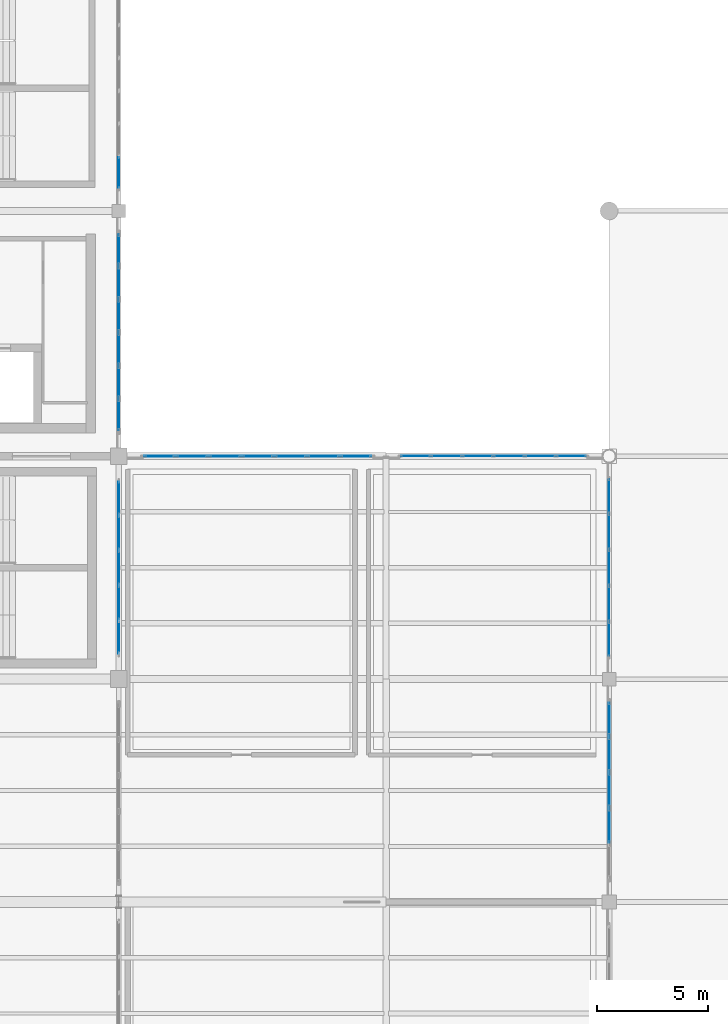
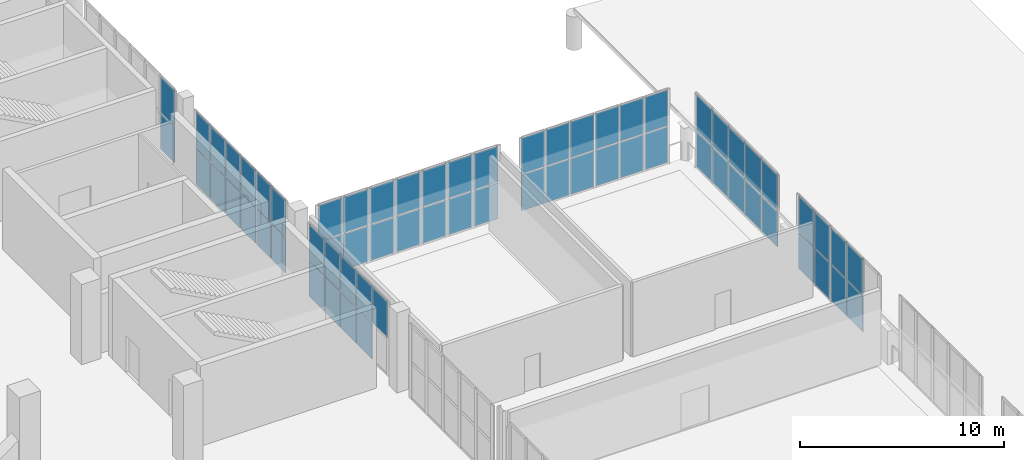
# One storey, part 103 of 136: 67 plates, 7 elements without a shape of their own.
"""IFC4 building model written with IfcOpenShell, lengths in metres."""

from ifc_helpers import new_model, si_unit, direction, frame, origin, origin_2d, place, context, subcontext, project, spatial, rectangle, extrude, material, layer, layer_set, type_object, element, aggregate, save


model = new_model("IFC4")

# Units and contexts
model_context = context("Model", 3, precision=1e-05, world=origin(), true_north=direction((0.0, 1.0)))
body_context = subcontext(model_context, "Body", "Model", "MODEL_VIEW")
ifc_project = project(units=[si_unit("LENGTHUNIT", "METRE"), si_unit("AREAUNIT", "SQUARE_METRE"), si_unit("VOLUMEUNIT", "CUBIC_METRE"), si_unit("PLANEANGLEUNIT", "RADIAN"), si_unit("MASSUNIT", "GRAM", prefix="KILO")], contexts=[model_context])

# Site, building, storey
site_placement = place(None, origin())
site = spatial("IfcSite", under=ifc_project, at=site_placement, CompositionType="ELEMENT")
building_placement = place(site_placement, origin())
building = spatial("IfcBuilding", under=site, at=building_placement, Name="Brinegate Civic Arena", CompositionType="ELEMENT")
storey_placement = place(building_placement, frame((0.0, 0.0, 5.39990234375)))
storey = spatial("IfcBuildingStorey", under=building, at=storey_placement, Name="L01", CompositionType="ELEMENT", Elevation=5.39990234375)

# Curtain wall, plates
ifc_material_1 = material(Name="Marine grade aluminium", Category="aluminium")
ifc_layer_1 = layer(ifc_material_1, 0.18505859375, Name="Marine grade aluminium")
ifc_layer_set_1 = layer_set([ifc_layer_1], Name="Marine grade aluminium")
curtain_wall_type_1 = type_object("IfcCurtainWallType", Name="CW-WING-GLAZED-03", PredefinedType="USERDEFINED", material=ifc_layer_set_1)
curtain_wall_1_placement = place(storey_placement, origin())
curtain_wall_1 = element("IfcCurtainWall", 1, at=curtain_wall_1_placement, inside=storey, type_object=curtain_wall_type_1, Name="Curtain Wall CWA-038", ObjectType="GLAZED CURTAIN WALL", PredefinedType="USERDEFINED")
ifc_material_2 = material(Name="Hurricane laminated low-E glass", Category="glass")
ifc_layer_2 = layer(ifc_material_2, 0.028076171875, Name="Hurricane laminated low-E glass")
ifc_layer_set_2 = layer_set([ifc_layer_2], Name="Hurricane laminated low-E glass")
plate_type_1 = type_object("IfcPlateType", Name="CW-PANEL-GLAZED-28", PredefinedType="CURTAIN_PANEL", material=ifc_layer_set_2)
plate_1_placement = place(storey_placement, frame((190.0, 73.794677734375, 0.074951171875), z_axis=(0.0, 0.0, 1.0), x_axis=(0.0, 1.0, 0.0)))
plate_1 = element("IfcPlate", 2, at=plate_1_placement, type_object=plate_type_1, Name="CWA-038 panel 1.1", PredefinedType="CURTAIN_PANEL", context=body_context, shape_type="SweptSolid", body=[
    extrude(rectangle(XDim=1.511474609375, YDim=0.028076171875, at=origin_2d()), origin(), (0.0, 0.0, 1.0), 2.12255859375),
])
plate_2_placement = place(storey_placement, frame((190.0, 73.794677734375, 2.2724609375), z_axis=(0.0, 0.0, 1.0), x_axis=(0.0, 1.0, 0.0)))
plate_2 = element("IfcPlate", 3, at=plate_2_placement, type_object=plate_type_1, Name="CWA-038 panel 1.2", PredefinedType="CURTAIN_PANEL", context=body_context, shape_type="SweptSolid", body=[
    extrude(rectangle(XDim=1.511474609375, YDim=0.028076171875, at=origin_2d()), origin(), (0.0, 0.0, 1.0), 2.12255859375),
])
plate_3_placement = place(storey_placement, frame((190.0, 75.387451171875, 0.074951171875), z_axis=(0.0, 0.0, 1.0), x_axis=(0.0, 1.0, 0.0)))
plate_3 = element("IfcPlate", 4, at=plate_3_placement, type_object=plate_type_1, Name="CWA-038 panel 2.1", PredefinedType="CURTAIN_PANEL", context=body_context, shape_type="SweptSolid", body=[
    extrude(rectangle(XDim=1.5439453125, YDim=0.028076171875, at=origin_2d()), origin(), (0.0, 0.0, 1.0), 2.12255859375),
])
plate_4_placement = place(storey_placement, frame((190.0, 75.387451171875, 2.2724609375), z_axis=(0.0, 0.0, 1.0), x_axis=(0.0, 1.0, 0.0)))
plate_4 = element("IfcPlate", 5, at=plate_4_placement, type_object=plate_type_1, Name="CWA-038 panel 2.2", PredefinedType="CURTAIN_PANEL", context=body_context, shape_type="SweptSolid", body=[
    extrude(rectangle(XDim=1.5439453125, YDim=0.028076171875, at=origin_2d()), origin(), (0.0, 0.0, 1.0), 2.12255859375),
])
plate_5_placement = place(storey_placement, frame((190.0, 76.99658203125, 0.074951171875), z_axis=(0.0, 0.0, 1.0), x_axis=(0.0, 1.0, 0.0)))
plate_5 = element("IfcPlate", 6, at=plate_5_placement, type_object=plate_type_1, Name="CWA-038 panel 3.1", PredefinedType="CURTAIN_PANEL", context=body_context, shape_type="SweptSolid", body=[
    extrude(rectangle(XDim=1.5439453125, YDim=0.028076171875, at=origin_2d()), origin(), (0.0, 0.0, 1.0), 2.12255859375),
])
plate_6_placement = place(storey_placement, frame((190.0, 76.99658203125, 2.2724609375), z_axis=(0.0, 0.0, 1.0), x_axis=(0.0, 1.0, 0.0)))
plate_6 = element("IfcPlate", 7, at=plate_6_placement, type_object=plate_type_1, Name="CWA-038 panel 3.2", PredefinedType="CURTAIN_PANEL", context=body_context, shape_type="SweptSolid", body=[
    extrude(rectangle(XDim=1.5439453125, YDim=0.028076171875, at=origin_2d()), origin(), (0.0, 0.0, 1.0), 2.12255859375),
])
plate_7_placement = place(storey_placement, frame((190.0, 78.60546875, 0.074951171875), z_axis=(0.0, 0.0, 1.0), x_axis=(0.0, 1.0, 0.0)))
plate_7 = element("IfcPlate", 8, at=plate_7_placement, type_object=plate_type_1, Name="CWA-038 panel 4.1", PredefinedType="CURTAIN_PANEL", context=body_context, shape_type="SweptSolid", body=[
    extrude(rectangle(XDim=1.5439453125, YDim=0.028076171875, at=origin_2d()), origin(), (0.0, 0.0, 1.0), 2.12255859375),
])
plate_8_placement = place(storey_placement, frame((190.0, 78.60546875, 2.2724609375), z_axis=(0.0, 0.0, 1.0), x_axis=(0.0, 1.0, 0.0)))
plate_8 = element("IfcPlate", 9, at=plate_8_placement, type_object=plate_type_1, Name="CWA-038 panel 4.2", PredefinedType="CURTAIN_PANEL", context=body_context, shape_type="SweptSolid", body=[
    extrude(rectangle(XDim=1.5439453125, YDim=0.028076171875, at=origin_2d()), origin(), (0.0, 0.0, 1.0), 2.12255859375),
])
plate_9_placement = place(storey_placement, frame((190.0, 80.1982421875, 0.074951171875), z_axis=(0.0, 0.0, 1.0), x_axis=(0.0, 1.0, 0.0)))
plate_9 = element("IfcPlate", 10, at=plate_9_placement, type_object=plate_type_1, Name="CWA-038 panel 5.1", PredefinedType="CURTAIN_PANEL", context=body_context, shape_type="SweptSolid", body=[
    extrude(rectangle(XDim=1.511474609375, YDim=0.028076171875, at=origin_2d()), origin(), (0.0, 0.0, 1.0), 2.12255859375),
])
plate_10_placement = place(storey_placement, frame((190.0, 80.1982421875, 2.2724609375), z_axis=(0.0, 0.0, 1.0), x_axis=(0.0, 1.0, 0.0)))
plate_10 = element("IfcPlate", 11, at=plate_10_placement, type_object=plate_type_1, Name="CWA-038 panel 5.2", PredefinedType="CURTAIN_PANEL", context=body_context, shape_type="SweptSolid", body=[
    extrude(rectangle(XDim=1.511474609375, YDim=0.028076171875, at=origin_2d()), origin(), (0.0, 0.0, 1.0), 2.12255859375),
])
aggregate(curtain_wall_1, [plate_1, plate_2, plate_3, plate_4, plate_5, plate_6, plate_7, plate_8, plate_9, plate_10])

curtain_wall_2_placement = place(storey_placement, origin())
curtain_wall_2 = element("IfcCurtainWall", 12, at=curtain_wall_2_placement, inside=storey, type_object=curtain_wall_type_1, Name="Curtain Wall CWA-042", ObjectType="GLAZED CURTAIN WALL", PredefinedType="USERDEFINED")
plate_11_placement = place(storey_placement, frame((181.31787109375, 82.0, 0.06494140625), z_axis=(0.0, 0.0, 1.0), x_axis=(1.0, 0.0, 0.0)))
plate_11 = element("IfcPlate", 13, at=plate_11_placement, type_object=plate_type_1, Name="CWA-042 panel 1.1", PredefinedType="CURTAIN_PANEL", context=body_context, shape_type="SweptSolid", body=[
    extrude(rectangle(XDim=1.3056640625, YDim=0.028076171875, at=origin_2d()), origin(), (0.0, 0.0, 1.0), 2.137451171875),
])
plate_12_placement = place(storey_placement, frame((181.31787109375, 82.0, 2.267578125), z_axis=(0.0, 0.0, 1.0), x_axis=(1.0, 0.0, 0.0)))
plate_12 = element("IfcPlate", 14, at=plate_12_placement, type_object=plate_type_1, Name="CWA-042 panel 1.2", PredefinedType="CURTAIN_PANEL", context=body_context, shape_type="SweptSolid", body=[
    extrude(rectangle(XDim=1.3056640625, YDim=0.028076171875, at=origin_2d()), origin(), (0.0, 0.0, 1.0), 2.137451171875),
])
plate_13_placement = place(storey_placement, frame((182.704833984375, 82.0, 0.06494140625), z_axis=(0.0, 0.0, 1.0), x_axis=(1.0, 0.0, 0.0)))
plate_13 = element("IfcPlate", 15, at=plate_13_placement, type_object=plate_type_1, Name="CWA-042 panel 2.1", PredefinedType="CURTAIN_PANEL", context=body_context, shape_type="SweptSolid", body=[
    extrude(rectangle(XDim=1.338134765625, YDim=0.028076171875, at=origin_2d()), origin(), (0.0, 0.0, 1.0), 2.137451171875),
])
plate_14_placement = place(storey_placement, frame((182.704833984375, 82.0, 2.267578125), z_axis=(0.0, 0.0, 1.0), x_axis=(1.0, 0.0, 0.0)))
plate_14 = element("IfcPlate", 16, at=plate_14_placement, type_object=plate_type_1, Name="CWA-042 panel 2.2", PredefinedType="CURTAIN_PANEL", context=body_context, shape_type="SweptSolid", body=[
    extrude(rectangle(XDim=1.338134765625, YDim=0.028076171875, at=origin_2d()), origin(), (0.0, 0.0, 1.0), 2.137451171875),
])
plate_15_placement = place(storey_placement, frame((184.10791015625, 82.0, 0.06494140625), z_axis=(0.0, 0.0, 1.0), x_axis=(1.0, 0.0, 0.0)))
plate_15 = element("IfcPlate", 17, at=plate_15_placement, type_object=plate_type_1, Name="CWA-042 panel 3.1", PredefinedType="CURTAIN_PANEL", context=body_context, shape_type="SweptSolid", body=[
    extrude(rectangle(XDim=1.338134765625, YDim=0.028076171875, at=origin_2d()), origin(), (0.0, 0.0, 1.0), 2.137451171875),
])
plate_16_placement = place(storey_placement, frame((184.10791015625, 82.0, 2.267578125), z_axis=(0.0, 0.0, 1.0), x_axis=(1.0, 0.0, 0.0)))
plate_16 = element("IfcPlate", 18, at=plate_16_placement, type_object=plate_type_1, Name="CWA-042 panel 3.2", PredefinedType="CURTAIN_PANEL", context=body_context, shape_type="SweptSolid", body=[
    extrude(rectangle(XDim=1.338134765625, YDim=0.028076171875, at=origin_2d()), origin(), (0.0, 0.0, 1.0), 2.137451171875),
])
plate_17_placement = place(storey_placement, frame((185.510986328125, 82.0, 0.06494140625), z_axis=(0.0, 0.0, 1.0), x_axis=(1.0, 0.0, 0.0)))
plate_17 = element("IfcPlate", 19, at=plate_17_placement, type_object=plate_type_1, Name="CWA-042 panel 4.1", PredefinedType="CURTAIN_PANEL", context=body_context, shape_type="SweptSolid", body=[
    extrude(rectangle(XDim=1.338134765625, YDim=0.028076171875, at=origin_2d()), origin(), (0.0, 0.0, 1.0), 2.137451171875),
])
plate_18_placement = place(storey_placement, frame((185.510986328125, 82.0, 2.267578125), z_axis=(0.0, 0.0, 1.0), x_axis=(1.0, 0.0, 0.0)))
plate_18 = element("IfcPlate", 20, at=plate_18_placement, type_object=plate_type_1, Name="CWA-042 panel 4.2", PredefinedType="CURTAIN_PANEL", context=body_context, shape_type="SweptSolid", body=[
    extrude(rectangle(XDim=1.338134765625, YDim=0.028076171875, at=origin_2d()), origin(), (0.0, 0.0, 1.0), 2.137451171875),
])
plate_19_placement = place(storey_placement, frame((186.914306640625, 82.0, 0.06494140625), z_axis=(0.0, 0.0, 1.0), x_axis=(1.0, 0.0, 0.0)))
plate_19 = element("IfcPlate", 21, at=plate_19_placement, type_object=plate_type_1, Name="CWA-042 panel 5.1", PredefinedType="CURTAIN_PANEL", context=body_context, shape_type="SweptSolid", body=[
    extrude(rectangle(XDim=1.338134765625, YDim=0.028076171875, at=origin_2d()), origin(), (0.0, 0.0, 1.0), 2.137451171875),
])
plate_20_placement = place(storey_placement, frame((186.914306640625, 82.0, 2.267578125), z_axis=(0.0, 0.0, 1.0), x_axis=(1.0, 0.0, 0.0)))
plate_20 = element("IfcPlate", 22, at=plate_20_placement, type_object=plate_type_1, Name="CWA-042 panel 5.2", PredefinedType="CURTAIN_PANEL", context=body_context, shape_type="SweptSolid", body=[
    extrude(rectangle(XDim=1.338134765625, YDim=0.028076171875, at=origin_2d()), origin(), (0.0, 0.0, 1.0), 2.137451171875),
])
plate_21_placement = place(storey_placement, frame((188.30126953125, 82.0, 0.06494140625), z_axis=(0.0, 0.0, 1.0), x_axis=(1.0, 0.0, 0.0)))
plate_21 = element("IfcPlate", 23, at=plate_21_placement, type_object=plate_type_1, Name="CWA-042 panel 6.1", PredefinedType="CURTAIN_PANEL", context=body_context, shape_type="SweptSolid", body=[
    extrude(rectangle(XDim=1.3056640625, YDim=0.028076171875, at=origin_2d()), origin(), (0.0, 0.0, 1.0), 2.137451171875),
])
plate_22_placement = place(storey_placement, frame((188.30126953125, 82.0, 2.267578125), z_axis=(0.0, 0.0, 1.0), x_axis=(1.0, 0.0, 0.0)))
plate_22 = element("IfcPlate", 24, at=plate_22_placement, type_object=plate_type_1, Name="CWA-042 panel 6.2", PredefinedType="CURTAIN_PANEL", context=body_context, shape_type="SweptSolid", body=[
    extrude(rectangle(XDim=1.3056640625, YDim=0.028076171875, at=origin_2d()), origin(), (0.0, 0.0, 1.0), 2.137451171875),
])
aggregate(curtain_wall_2, [plate_11, plate_12, plate_13, plate_14, plate_15, plate_16, plate_17, plate_18, plate_19, plate_20, plate_21, plate_22])

ifc_layer_3 = layer(ifc_material_1, 0.199951171875, Name="Marine grade aluminium")
ifc_layer_set_3 = layer_set([ifc_layer_3], Name="Marine grade aluminium")
curtain_wall_type_2 = type_object("IfcCurtainWallType", Name="CW-BOWL-GLAZED-01", PredefinedType="USERDEFINED", material=ifc_layer_set_3)
curtain_wall_3_placement = place(storey_placement, origin())
curtain_wall_3 = element("IfcCurtainWall", 25, at=curtain_wall_3_placement, inside=storey, type_object=curtain_wall_type_2, Name="Curtain Wall CWA-055", ObjectType="GLAZED CURTAIN WALL", PredefinedType="USERDEFINED")
ifc_layer_4 = layer(ifc_material_2, 0.031982421875, Name="Hurricane laminated low-E glass")
ifc_layer_set_4 = layer_set([ifc_layer_4], Name="Hurricane laminated low-E glass")
plate_type_2 = type_object("IfcPlateType", Name="CW-PANEL-GLAZED-32", PredefinedType="CURTAIN_PANEL", material=ifc_layer_set_4)
plate_23_placement = place(storey_placement, frame((168.0, 73.88037109375, 2.267578125), z_axis=(0.0, 0.0, 1.0), x_axis=(0.0, 1.0, 0.0)))
plate_23 = element("IfcPlate", 26, at=plate_23_placement, type_object=plate_type_2, Name="CWA-055 panel 1.2", PredefinedType="CURTAIN_PANEL", context=body_context, shape_type="SweptSolid", body=[
    extrude(rectangle(XDim=1.470458984375, YDim=0.031982421875, at=origin_2d()), origin(), (0.0, 0.0, 1.0), 2.137451171875),
])
plate_24_placement = place(storey_placement, frame((168.0, 75.431884765625, 0.06494140625), z_axis=(0.0, 0.0, 1.0), x_axis=(0.0, 1.0, 0.0)))
plate_24 = element("IfcPlate", 27, at=plate_24_placement, type_object=plate_type_2, Name="CWA-055 panel 2.1", PredefinedType="CURTAIN_PANEL", context=body_context, shape_type="SweptSolid", body=[
    extrude(rectangle(XDim=1.5029296875, YDim=0.031982421875, at=origin_2d()), origin(), (0.0, 0.0, 1.0), 2.137451171875),
])
plate_25_placement = place(storey_placement, frame((168.0, 75.431884765625, 2.267578125), z_axis=(0.0, 0.0, 1.0), x_axis=(0.0, 1.0, 0.0)))
plate_25 = element("IfcPlate", 28, at=plate_25_placement, type_object=plate_type_2, Name="CWA-055 panel 2.2", PredefinedType="CURTAIN_PANEL", context=body_context, shape_type="SweptSolid", body=[
    extrude(rectangle(XDim=1.5029296875, YDim=0.031982421875, at=origin_2d()), origin(), (0.0, 0.0, 1.0), 2.137451171875),
])
plate_26_placement = place(storey_placement, frame((168.0, 77.0, 0.06494140625), z_axis=(0.0, 0.0, 1.0), x_axis=(0.0, 1.0, 0.0)))
plate_26 = element("IfcPlate", 29, at=plate_26_placement, type_object=plate_type_2, Name="CWA-055 panel 3.1", PredefinedType="CURTAIN_PANEL", context=body_context, shape_type="SweptSolid", body=[
    extrude(rectangle(XDim=1.5029296875, YDim=0.031982421875, at=origin_2d()), origin(), (0.0, 0.0, 1.0), 2.137451171875),
])
plate_27_placement = place(storey_placement, frame((168.0, 77.0, 2.267578125), z_axis=(0.0, 0.0, 1.0), x_axis=(0.0, 1.0, 0.0)))
plate_27 = element("IfcPlate", 30, at=plate_27_placement, type_object=plate_type_2, Name="CWA-055 panel 3.2", PredefinedType="CURTAIN_PANEL", context=body_context, shape_type="SweptSolid", body=[
    extrude(rectangle(XDim=1.5029296875, YDim=0.031982421875, at=origin_2d()), origin(), (0.0, 0.0, 1.0), 2.137451171875),
])
plate_28_placement = place(storey_placement, frame((168.0, 78.568115234375, 0.06494140625), z_axis=(0.0, 0.0, 1.0), x_axis=(0.0, 1.0, 0.0)))
plate_28 = element("IfcPlate", 31, at=plate_28_placement, type_object=plate_type_2, Name="CWA-055 panel 4.1", PredefinedType="CURTAIN_PANEL", context=body_context, shape_type="SweptSolid", body=[
    extrude(rectangle(XDim=1.5029296875, YDim=0.031982421875, at=origin_2d()), origin(), (0.0, 0.0, 1.0), 2.137451171875),
])
plate_29_placement = place(storey_placement, frame((168.0, 78.568115234375, 2.267578125), z_axis=(0.0, 0.0, 1.0), x_axis=(0.0, 1.0, 0.0)))
plate_29 = element("IfcPlate", 32, at=plate_29_placement, type_object=plate_type_2, Name="CWA-055 panel 4.2", PredefinedType="CURTAIN_PANEL", context=body_context, shape_type="SweptSolid", body=[
    extrude(rectangle(XDim=1.5029296875, YDim=0.031982421875, at=origin_2d()), origin(), (0.0, 0.0, 1.0), 2.137451171875),
])
plate_30_placement = place(storey_placement, frame((168.0, 80.11962890625, 0.06494140625), z_axis=(0.0, 0.0, 1.0), x_axis=(0.0, 1.0, 0.0)))
plate_30 = element("IfcPlate", 33, at=plate_30_placement, type_object=plate_type_2, Name="CWA-055 panel 5.1", PredefinedType="CURTAIN_PANEL", context=body_context, shape_type="SweptSolid", body=[
    extrude(rectangle(XDim=1.470458984375, YDim=0.031982421875, at=origin_2d()), origin(), (0.0, 0.0, 1.0), 2.137451171875),
])
plate_31_placement = place(storey_placement, frame((168.0, 80.11962890625, 2.267578125), z_axis=(0.0, 0.0, 1.0), x_axis=(0.0, 1.0, 0.0)))
plate_31 = element("IfcPlate", 34, at=plate_31_placement, type_object=plate_type_2, Name="CWA-055 panel 5.2", PredefinedType="CURTAIN_PANEL", context=body_context, shape_type="SweptSolid", body=[
    extrude(rectangle(XDim=1.470458984375, YDim=0.031982421875, at=origin_2d()), origin(), (0.0, 0.0, 1.0), 2.137451171875),
])
aggregate(curtain_wall_3, [plate_23, plate_24, plate_25, plate_26, plate_27, plate_28, plate_29, plate_30, plate_31])

curtain_wall_4_placement = place(storey_placement, origin())
curtain_wall_4 = element("IfcCurtainWall", 35, at=curtain_wall_4_placement, inside=storey, type_object=curtain_wall_type_2, Name="Curtain Wall CWA-059", ObjectType="GLAZED CURTAIN WALL", PredefinedType="USERDEFINED")
plate_32_placement = place(storey_placement, frame((168.0, 94.726806640625, 0.074951171875), z_axis=(0.0, 0.0, 1.0), x_axis=(0.0, 1.0, 0.0)))
plate_32 = element("IfcPlate", 36, at=plate_32_placement, type_object=plate_type_2, Name="CWA-059 panel 1.1", PredefinedType="CURTAIN_PANEL", context=body_context, shape_type="SweptSolid", body=[
    extrude(rectangle(XDim=1.375732421875, YDim=0.031982421875, at=origin_2d()), origin(), (0.0, 0.0, 1.0), 2.12255859375),
])
plate_33_placement = place(storey_placement, frame((168.0, 94.726806640625, 2.2724609375), z_axis=(0.0, 0.0, 1.0), x_axis=(0.0, 1.0, 0.0)))
plate_33 = element("IfcPlate", 37, at=plate_33_placement, type_object=plate_type_2, Name="CWA-059 panel 1.2", PredefinedType="CURTAIN_PANEL", context=body_context, shape_type="SweptSolid", body=[
    extrude(rectangle(XDim=1.375732421875, YDim=0.031982421875, at=origin_2d()), origin(), (0.0, 0.0, 1.0), 2.12255859375),
])
aggregate(curtain_wall_4, [plate_32, plate_33])

curtain_wall_5_placement = place(storey_placement, origin())
curtain_wall_5 = element("IfcCurtainWall", 38, at=curtain_wall_5_placement, inside=storey, type_object=curtain_wall_type_1, Name="Curtain Wall CWA-040", ObjectType="GLAZED CURTAIN WALL", PredefinedType="USERDEFINED")
ifc_layer_5 = layer(ifc_material_2, 0.035888671875, Name="Hurricane laminated low-E glass")
ifc_layer_set_5 = layer_set([ifc_layer_5], Name="Hurricane laminated low-E glass")
plate_type_3 = type_object("IfcPlateType", Name="CW-PANEL-GLAZED-36", PredefinedType="CURTAIN_PANEL", material=ifc_layer_set_5)
plate_34_placement = place(storey_placement, frame((169.8359375, 82.0, 0.06494140625), z_axis=(0.0, 0.0, 1.0), x_axis=(1.0, 0.0, 0.0)))
plate_34 = element("IfcPlate", 39, at=plate_34_placement, type_object=plate_type_3, Name="CWA-040 panel 1.1", PredefinedType="CURTAIN_PANEL", context=body_context, shape_type="SweptSolid", body=[
    extrude(rectangle(XDim=1.36181640625, YDim=0.035888671875, at=origin_2d()), origin(), (0.0, 0.0, 1.0), 2.137451171875),
])
plate_35_placement = place(storey_placement, frame((169.8359375, 82.0, 2.267578125), z_axis=(0.0, 0.0, 1.0), x_axis=(1.0, 0.0, 0.0)))
plate_35 = element("IfcPlate", 40, at=plate_35_placement, type_object=plate_type_3, Name="CWA-040 panel 1.2", PredefinedType="CURTAIN_PANEL", context=body_context, shape_type="SweptSolid", body=[
    extrude(rectangle(XDim=1.36181640625, YDim=0.035888671875, at=origin_2d()), origin(), (0.0, 0.0, 1.0), 2.137451171875),
])
plate_36_placement = place(storey_placement, frame((171.29150390625, 82.0, 0.06494140625), z_axis=(0.0, 0.0, 1.0), x_axis=(1.0, 0.0, 0.0)))
plate_36 = element("IfcPlate", 41, at=plate_36_placement, type_object=plate_type_3, Name="CWA-040 panel 2.1", PredefinedType="CURTAIN_PANEL", context=body_context, shape_type="SweptSolid", body=[
    extrude(rectangle(XDim=1.399169921875, YDim=0.035888671875, at=origin_2d()), origin(), (0.0, 0.0, 1.0), 2.137451171875),
])
plate_37_placement = place(storey_placement, frame((171.29150390625, 82.0, 2.267578125), z_axis=(0.0, 0.0, 1.0), x_axis=(1.0, 0.0, 0.0)))
plate_37 = element("IfcPlate", 42, at=plate_37_placement, type_object=plate_type_3, Name="CWA-040 panel 2.2", PredefinedType="CURTAIN_PANEL", context=body_context, shape_type="SweptSolid", body=[
    extrude(rectangle(XDim=1.399169921875, YDim=0.035888671875, at=origin_2d()), origin(), (0.0, 0.0, 1.0), 2.137451171875),
])
plate_38_placement = place(storey_placement, frame((172.765625, 82.0, 0.06494140625), z_axis=(0.0, 0.0, 1.0), x_axis=(1.0, 0.0, 0.0)))
plate_38 = element("IfcPlate", 43, at=plate_38_placement, type_object=plate_type_3, Name="CWA-040 panel 3.1", PredefinedType="CURTAIN_PANEL", context=body_context, shape_type="SweptSolid", body=[
    extrude(rectangle(XDim=1.399169921875, YDim=0.035888671875, at=origin_2d()), origin(), (0.0, 0.0, 1.0), 2.137451171875),
])
plate_39_placement = place(storey_placement, frame((172.765625, 82.0, 2.267578125), z_axis=(0.0, 0.0, 1.0), x_axis=(1.0, 0.0, 0.0)))
plate_39 = element("IfcPlate", 44, at=plate_39_placement, type_object=plate_type_3, Name="CWA-040 panel 3.2", PredefinedType="CURTAIN_PANEL", context=body_context, shape_type="SweptSolid", body=[
    extrude(rectangle(XDim=1.399169921875, YDim=0.035888671875, at=origin_2d()), origin(), (0.0, 0.0, 1.0), 2.137451171875),
])
plate_40_placement = place(storey_placement, frame((174.239990234375, 82.0, 0.06494140625), z_axis=(0.0, 0.0, 1.0), x_axis=(1.0, 0.0, 0.0)))
plate_40 = element("IfcPlate", 45, at=plate_40_placement, type_object=plate_type_3, Name="CWA-040 panel 4.1", PredefinedType="CURTAIN_PANEL", context=body_context, shape_type="SweptSolid", body=[
    extrude(rectangle(XDim=1.399169921875, YDim=0.035888671875, at=origin_2d()), origin(), (0.0, 0.0, 1.0), 2.137451171875),
])
plate_41_placement = place(storey_placement, frame((174.239990234375, 82.0, 2.267578125), z_axis=(0.0, 0.0, 1.0), x_axis=(1.0, 0.0, 0.0)))
plate_41 = element("IfcPlate", 46, at=plate_41_placement, type_object=plate_type_3, Name="CWA-040 panel 4.2", PredefinedType="CURTAIN_PANEL", context=body_context, shape_type="SweptSolid", body=[
    extrude(rectangle(XDim=1.399169921875, YDim=0.035888671875, at=origin_2d()), origin(), (0.0, 0.0, 1.0), 2.137451171875),
])
plate_42_placement = place(storey_placement, frame((175.71435546875, 82.0, 0.06494140625), z_axis=(0.0, 0.0, 1.0), x_axis=(1.0, 0.0, 0.0)))
plate_42 = element("IfcPlate", 47, at=plate_42_placement, type_object=plate_type_3, Name="CWA-040 panel 5.1", PredefinedType="CURTAIN_PANEL", context=body_context, shape_type="SweptSolid", body=[
    extrude(rectangle(XDim=1.399169921875, YDim=0.035888671875, at=origin_2d()), origin(), (0.0, 0.0, 1.0), 2.137451171875),
])
plate_43_placement = place(storey_placement, frame((175.71435546875, 82.0, 2.267578125), z_axis=(0.0, 0.0, 1.0), x_axis=(1.0, 0.0, 0.0)))
plate_43 = element("IfcPlate", 48, at=plate_43_placement, type_object=plate_type_3, Name="CWA-040 panel 5.2", PredefinedType="CURTAIN_PANEL", context=body_context, shape_type="SweptSolid", body=[
    extrude(rectangle(XDim=1.399169921875, YDim=0.035888671875, at=origin_2d()), origin(), (0.0, 0.0, 1.0), 2.137451171875),
])
plate_44_placement = place(storey_placement, frame((177.1884765625, 82.0, 0.06494140625), z_axis=(0.0, 0.0, 1.0), x_axis=(1.0, 0.0, 0.0)))
plate_44 = element("IfcPlate", 49, at=plate_44_placement, type_object=plate_type_3, Name="CWA-040 panel 6.1", PredefinedType="CURTAIN_PANEL", context=body_context, shape_type="SweptSolid", body=[
    extrude(rectangle(XDim=1.399169921875, YDim=0.035888671875, at=origin_2d()), origin(), (0.0, 0.0, 1.0), 2.137451171875),
])
plate_45_placement = place(storey_placement, frame((177.1884765625, 82.0, 2.267578125), z_axis=(0.0, 0.0, 1.0), x_axis=(1.0, 0.0, 0.0)))
plate_45 = element("IfcPlate", 50, at=plate_45_placement, type_object=plate_type_3, Name="CWA-040 panel 6.2", PredefinedType="CURTAIN_PANEL", context=body_context, shape_type="SweptSolid", body=[
    extrude(rectangle(XDim=1.399169921875, YDim=0.035888671875, at=origin_2d()), origin(), (0.0, 0.0, 1.0), 2.137451171875),
])
plate_46_placement = place(storey_placement, frame((178.64404296875, 82.0, 0.06494140625), z_axis=(0.0, 0.0, 1.0), x_axis=(1.0, 0.0, 0.0)))
plate_46 = element("IfcPlate", 51, at=plate_46_placement, type_object=plate_type_3, Name="CWA-040 panel 7.1", PredefinedType="CURTAIN_PANEL", context=body_context, shape_type="SweptSolid", body=[
    extrude(rectangle(XDim=1.36181640625, YDim=0.035888671875, at=origin_2d()), origin(), (0.0, 0.0, 1.0), 2.137451171875),
])
plate_47_placement = place(storey_placement, frame((178.64404296875, 82.0, 2.267578125), z_axis=(0.0, 0.0, 1.0), x_axis=(1.0, 0.0, 0.0)))
plate_47 = element("IfcPlate", 52, at=plate_47_placement, type_object=plate_type_3, Name="CWA-040 panel 7.2", PredefinedType="CURTAIN_PANEL", context=body_context, shape_type="SweptSolid", body=[
    extrude(rectangle(XDim=1.36181640625, YDim=0.035888671875, at=origin_2d()), origin(), (0.0, 0.0, 1.0), 2.137451171875),
])
aggregate(curtain_wall_5, [plate_34, plate_35, plate_36, plate_37, plate_38, plate_39, plate_40, plate_41, plate_42, plate_43, plate_44, plate_45, plate_46, plate_47])

curtain_wall_6_placement = place(storey_placement, origin())
curtain_wall_6 = element("IfcCurtainWall", 53, at=curtain_wall_6_placement, inside=storey, type_object=curtain_wall_type_1, Name="Curtain Wall CWA-037", ObjectType="GLAZED CURTAIN WALL", PredefinedType="USERDEFINED")
ifc_layer_6 = layer(ifc_material_2, 0.0419921875, Name="Hurricane laminated low-E glass")
ifc_layer_set_6 = layer_set([ifc_layer_6], Name="Hurricane laminated low-E glass")
plate_type_4 = type_object("IfcPlateType", Name="CW-PANEL-SPANDREL-42", PredefinedType="CURTAIN_PANEL", material=ifc_layer_set_6)
plate_48_placement = place(storey_placement, frame((190.0, 65.414794921875, 0.06494140625), z_axis=(0.0, 0.0, 1.0), x_axis=(0.0, 1.0, 0.0)))
plate_48 = element("IfcPlate", 54, at=plate_48_placement, type_object=plate_type_4, Name="CWA-037 panel 2.1", PredefinedType="CURTAIN_PANEL", context=body_context, shape_type="SweptSolid", body=[
    extrude(rectangle(XDim=1.523193359375, YDim=0.0419921875, at=origin_2d()), origin(), (0.0, 0.0, 1.0), 2.137451171875),
])
plate_49_placement = place(storey_placement, frame((190.0, 65.414794921875, 2.267578125), z_axis=(0.0, 0.0, 1.0), x_axis=(0.0, 1.0, 0.0)))
plate_49 = element("IfcPlate", 55, at=plate_49_placement, type_object=plate_type_4, Name="CWA-037 panel 2.2", PredefinedType="CURTAIN_PANEL", context=body_context, shape_type="SweptSolid", body=[
    extrude(rectangle(XDim=1.523193359375, YDim=0.0419921875, at=origin_2d()), origin(), (0.0, 0.0, 1.0), 2.137451171875),
])
plate_50_placement = place(storey_placement, frame((190.0, 67.01806640625, 0.06494140625), z_axis=(0.0, 0.0, 1.0), x_axis=(0.0, 1.0, 0.0)))
plate_50 = element("IfcPlate", 56, at=plate_50_placement, type_object=plate_type_4, Name="CWA-037 panel 3.1", PredefinedType="CURTAIN_PANEL", context=body_context, shape_type="SweptSolid", body=[
    extrude(rectangle(XDim=1.523193359375, YDim=0.0419921875, at=origin_2d()), origin(), (0.0, 0.0, 1.0), 2.137451171875),
])
plate_51_placement = place(storey_placement, frame((190.0, 67.01806640625, 2.267578125), z_axis=(0.0, 0.0, 1.0), x_axis=(0.0, 1.0, 0.0)))
plate_51 = element("IfcPlate", 57, at=plate_51_placement, type_object=plate_type_4, Name="CWA-037 panel 3.2", PredefinedType="CURTAIN_PANEL", context=body_context, shape_type="SweptSolid", body=[
    extrude(rectangle(XDim=1.523193359375, YDim=0.0419921875, at=origin_2d()), origin(), (0.0, 0.0, 1.0), 2.137451171875),
])
plate_52_placement = place(storey_placement, frame((190.0, 68.62109375, 0.06494140625), z_axis=(0.0, 0.0, 1.0), x_axis=(0.0, 1.0, 0.0)))
plate_52 = element("IfcPlate", 58, at=plate_52_placement, type_object=plate_type_4, Name="CWA-037 panel 4.1", PredefinedType="CURTAIN_PANEL", context=body_context, shape_type="SweptSolid", body=[
    extrude(rectangle(XDim=1.523193359375, YDim=0.0419921875, at=origin_2d()), origin(), (0.0, 0.0, 1.0), 2.137451171875),
])
plate_53_placement = place(storey_placement, frame((190.0, 68.62109375, 2.267578125), z_axis=(0.0, 0.0, 1.0), x_axis=(0.0, 1.0, 0.0)))
plate_53 = element("IfcPlate", 59, at=plate_53_placement, type_object=plate_type_4, Name="CWA-037 panel 4.2", PredefinedType="CURTAIN_PANEL", context=body_context, shape_type="SweptSolid", body=[
    extrude(rectangle(XDim=1.523193359375, YDim=0.0419921875, at=origin_2d()), origin(), (0.0, 0.0, 1.0), 2.137451171875),
])
plate_54_placement = place(storey_placement, frame((190.0, 70.204345703125, 0.06494140625), z_axis=(0.0, 0.0, 1.0), x_axis=(0.0, 1.0, 0.0)))
plate_54 = element("IfcPlate", 60, at=plate_54_placement, type_object=plate_type_4, Name="CWA-037 panel 5.1", PredefinedType="CURTAIN_PANEL", context=body_context, shape_type="SweptSolid", body=[
    extrude(rectangle(XDim=1.483154296875, YDim=0.0419921875, at=origin_2d()), origin(), (0.0, 0.0, 1.0), 2.137451171875),
])
plate_55_placement = place(storey_placement, frame((190.0, 70.204345703125, 2.267578125), z_axis=(0.0, 0.0, 1.0), x_axis=(0.0, 1.0, 0.0)))
plate_55 = element("IfcPlate", 61, at=plate_55_placement, type_object=plate_type_4, Name="CWA-037 panel 5.2", PredefinedType="CURTAIN_PANEL", context=body_context, shape_type="SweptSolid", body=[
    extrude(rectangle(XDim=1.483154296875, YDim=0.0419921875, at=origin_2d()), origin(), (0.0, 0.0, 1.0), 2.137451171875),
])
aggregate(curtain_wall_6, [plate_48, plate_49, plate_50, plate_51, plate_52, plate_53, plate_54, plate_55])

curtain_wall_7_placement = place(storey_placement, origin())
curtain_wall_7 = element("IfcCurtainWall", 62, at=curtain_wall_7_placement, inside=storey, type_object=curtain_wall_type_2, Name="Curtain Wall CWA-057", ObjectType="GLAZED CURTAIN WALL", PredefinedType="USERDEFINED")
plate_56_placement = place(storey_placement, frame((168.0, 83.845458984375, 0.06494140625), z_axis=(0.0, 0.0, 1.0), x_axis=(0.0, 1.0, 0.0)))
plate_56 = element("IfcPlate", 63, at=plate_56_placement, type_object=plate_type_4, Name="CWA-057 panel 1.1", PredefinedType="CURTAIN_PANEL", context=body_context, shape_type="SweptSolid", body=[
    extrude(rectangle(XDim=1.37109375, YDim=0.0419921875, at=origin_2d()), origin(), (0.0, 0.0, 1.0), 2.137451171875),
])
plate_57_placement = place(storey_placement, frame((168.0, 83.845458984375, 2.267578125), z_axis=(0.0, 0.0, 1.0), x_axis=(0.0, 1.0, 0.0)))
plate_57 = element("IfcPlate", 64, at=plate_57_placement, type_object=plate_type_4, Name="CWA-057 panel 1.2", PredefinedType="CURTAIN_PANEL", context=body_context, shape_type="SweptSolid", body=[
    extrude(rectangle(XDim=1.37109375, YDim=0.0419921875, at=origin_2d()), origin(), (0.0, 0.0, 1.0), 2.137451171875),
])
plate_58_placement = place(storey_placement, frame((168.0, 85.31640625, 0.06494140625), z_axis=(0.0, 0.0, 1.0), x_axis=(0.0, 1.0, 0.0)))
plate_58 = element("IfcPlate", 65, at=plate_58_placement, type_object=plate_type_4, Name="CWA-057 panel 2.1", PredefinedType="CURTAIN_PANEL", context=body_context, shape_type="SweptSolid", body=[
    extrude(rectangle(XDim=1.410888671875, YDim=0.0419921875, at=origin_2d()), origin(), (0.0, 0.0, 1.0), 2.137451171875),
])
plate_59_placement = place(storey_placement, frame((168.0, 85.31640625, 2.267578125), z_axis=(0.0, 0.0, 1.0), x_axis=(0.0, 1.0, 0.0)))
plate_59 = element("IfcPlate", 66, at=plate_59_placement, type_object=plate_type_4, Name="CWA-057 panel 2.2", PredefinedType="CURTAIN_PANEL", context=body_context, shape_type="SweptSolid", body=[
    extrude(rectangle(XDim=1.410888671875, YDim=0.0419921875, at=origin_2d()), origin(), (0.0, 0.0, 1.0), 2.137451171875),
])
plate_60_placement = place(storey_placement, frame((168.0, 86.8076171875, 0.06494140625), z_axis=(0.0, 0.0, 1.0), x_axis=(0.0, 1.0, 0.0)))
plate_60 = element("IfcPlate", 67, at=plate_60_placement, type_object=plate_type_4, Name="CWA-057 panel 3.1", PredefinedType="CURTAIN_PANEL", context=body_context, shape_type="SweptSolid", body=[
    extrude(rectangle(XDim=1.410888671875, YDim=0.0419921875, at=origin_2d()), origin(), (0.0, 0.0, 1.0), 2.137451171875),
])
plate_61_placement = place(storey_placement, frame((168.0, 86.8076171875, 2.267578125), z_axis=(0.0, 0.0, 1.0), x_axis=(0.0, 1.0, 0.0)))
plate_61 = element("IfcPlate", 68, at=plate_61_placement, type_object=plate_type_4, Name="CWA-057 panel 3.2", PredefinedType="CURTAIN_PANEL", context=body_context, shape_type="SweptSolid", body=[
    extrude(rectangle(XDim=1.410888671875, YDim=0.0419921875, at=origin_2d()), origin(), (0.0, 0.0, 1.0), 2.137451171875),
])
plate_62_placement = place(storey_placement, frame((168.0, 88.298583984375, 0.06494140625), z_axis=(0.0, 0.0, 1.0), x_axis=(0.0, 1.0, 0.0)))
plate_62 = element("IfcPlate", 69, at=plate_62_placement, type_object=plate_type_4, Name="CWA-057 panel 4.1", PredefinedType="CURTAIN_PANEL", context=body_context, shape_type="SweptSolid", body=[
    extrude(rectangle(XDim=1.410888671875, YDim=0.0419921875, at=origin_2d()), origin(), (0.0, 0.0, 1.0), 2.137451171875),
])
plate_63_placement = place(storey_placement, frame((168.0, 88.298583984375, 2.267578125), z_axis=(0.0, 0.0, 1.0), x_axis=(0.0, 1.0, 0.0)))
plate_63 = element("IfcPlate", 70, at=plate_63_placement, type_object=plate_type_4, Name="CWA-057 panel 4.2", PredefinedType="CURTAIN_PANEL", context=body_context, shape_type="SweptSolid", body=[
    extrude(rectangle(XDim=1.410888671875, YDim=0.0419921875, at=origin_2d()), origin(), (0.0, 0.0, 1.0), 2.137451171875),
])
plate_64_placement = place(storey_placement, frame((168.0, 89.78955078125, 0.06494140625), z_axis=(0.0, 0.0, 1.0), x_axis=(0.0, 1.0, 0.0)))
plate_64 = element("IfcPlate", 71, at=plate_64_placement, type_object=plate_type_4, Name="CWA-057 panel 5.1", PredefinedType="CURTAIN_PANEL", context=body_context, shape_type="SweptSolid", body=[
    extrude(rectangle(XDim=1.410888671875, YDim=0.0419921875, at=origin_2d()), origin(), (0.0, 0.0, 1.0), 2.137451171875),
])
plate_65_placement = place(storey_placement, frame((168.0, 89.78955078125, 2.267578125), z_axis=(0.0, 0.0, 1.0), x_axis=(0.0, 1.0, 0.0)))
plate_65 = element("IfcPlate", 72, at=plate_65_placement, type_object=plate_type_4, Name="CWA-057 panel 5.2", PredefinedType="CURTAIN_PANEL", context=body_context, shape_type="SweptSolid", body=[
    extrude(rectangle(XDim=1.410888671875, YDim=0.0419921875, at=origin_2d()), origin(), (0.0, 0.0, 1.0), 2.137451171875),
])
plate_66_placement = place(storey_placement, frame((168.0, 91.260498046875, 0.06494140625), z_axis=(0.0, 0.0, 1.0), x_axis=(0.0, 1.0, 0.0)))
plate_66 = element("IfcPlate", 73, at=plate_66_placement, type_object=plate_type_4, Name="CWA-057 panel 6.1", PredefinedType="CURTAIN_PANEL", context=body_context, shape_type="SweptSolid", body=[
    extrude(rectangle(XDim=1.37109375, YDim=0.0419921875, at=origin_2d()), origin(), (0.0, 0.0, 1.0), 2.137451171875),
])
plate_67_placement = place(storey_placement, frame((168.0, 91.260498046875, 2.267578125), z_axis=(0.0, 0.0, 1.0), x_axis=(0.0, 1.0, 0.0)))
plate_67 = element("IfcPlate", 74, at=plate_67_placement, type_object=plate_type_4, Name="CWA-057 panel 6.2", PredefinedType="CURTAIN_PANEL", context=body_context, shape_type="SweptSolid", body=[
    extrude(rectangle(XDim=1.37109375, YDim=0.0419921875, at=origin_2d()), origin(), (0.0, 0.0, 1.0), 2.137451171875),
])
aggregate(curtain_wall_7, [plate_56, plate_57, plate_58, plate_59, plate_60, plate_61, plate_62, plate_63, plate_64, plate_65, plate_66, plate_67])

save(model, "model.ifc")
